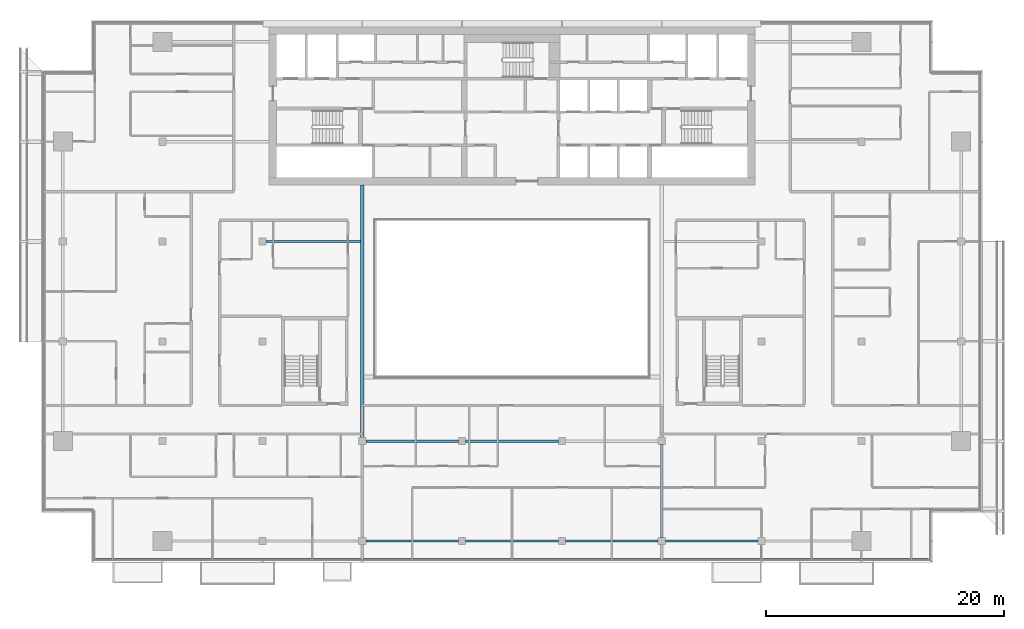
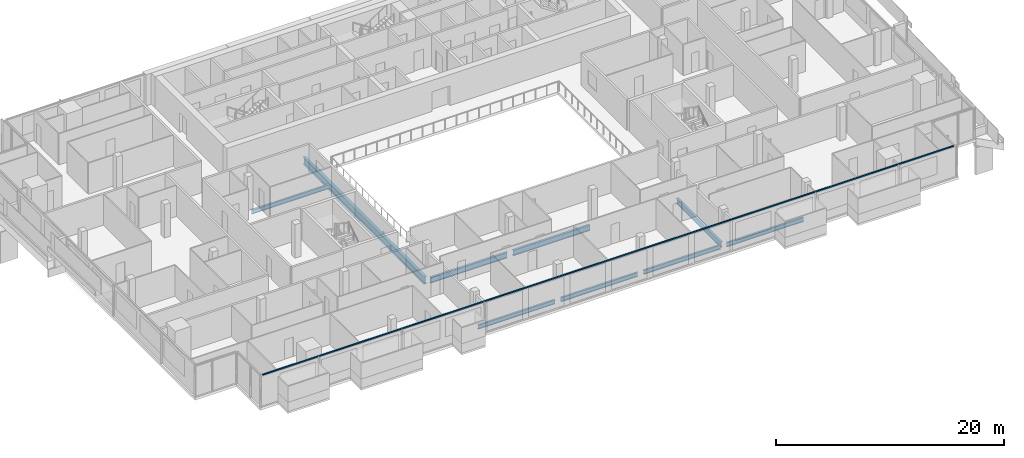
# One storey, part 5 of 29: 9 beams, 1 member, 1 element without a shape of its own.
"""IFC4 building model written with IfcOpenShell, lengths in metres."""

from ifc_helpers import new_model, si_unit, direction, frame, origin, origin_2d, place, context, subcontext, project, spatial, rectangle, i_section, extrude, material, material_profile, profile_set, type_object, element, aggregate, save


model = new_model("IFC4")

# Units and contexts
model_context = context("Model", 3, precision=1e-05, world=origin(), true_north=direction((0.0, 1.0)))
body_context = subcontext(model_context, "Body", "Model", "MODEL_VIEW")
ifc_project = project(units=[si_unit("LENGTHUNIT", "METRE"), si_unit("AREAUNIT", "SQUARE_METRE"), si_unit("VOLUMEUNIT", "CUBIC_METRE"), si_unit("PLANEANGLEUNIT", "RADIAN"), si_unit("MASSUNIT", "GRAM", prefix="KILO")], contexts=[model_context])

# Site, building, storey
site_placement = place(None, origin())
site = spatial("IfcSite", under=ifc_project, at=site_placement, CompositionType="ELEMENT")
building_placement = place(site_placement, origin())
building = spatial("IfcBuilding", under=site, at=building_placement, Name="Saffron Gate Tower", CompositionType="ELEMENT")
storey_placement = place(building_placement, frame((0.0, 0.0, 219.89990234375)))
storey = spatial("IfcBuildingStorey", under=building, at=storey_placement, Name="L53", CompositionType="ELEMENT", Elevation=219.89990234375)

# Beams
ifc_material_1 = material(Name="Structural steel S355", Category="steel")
ifc_material_profile_1 = material_profile(ifc_material_1, i_section(OverallWidth=0.219970703125, OverallDepth=0.60009765625, WebThickness=0.011962890625, FlangeThickness=0.01904296875, FilletRadius=0.02392578125, at=origin_2d()))
ifc_profile_set_1 = profile_set([ifc_material_profile_1], Name="Structural steel S355")
beam_type_1 = type_object("IfcBeamType", Name="B15 IPE 600", PredefinedType="BEAM", material=ifc_profile_set_1)
beam_1_placement = place(storey_placement, frame((100.199951171875, 32.10009765625, -0.579833984375), z_axis=(0.0, 1.0, 0.0), x_axis=(-1.0, 0.0, 0.0)))
element("IfcBeam", 1, at=beam_1_placement, inside=storey, type_object=beam_type_1, Name="B15 FLOOR GIRDER", PredefinedType="BEAM", context=body_context, shape_type="SweptSolid", body=[
    extrude(i_section(OverallWidth=0.219970703125, OverallDepth=0.60009765625, WebThickness=0.011962890625, FlangeThickness=0.01904296875, FilletRadius=0.02392578125, at=origin_2d()), origin(), (0.0, 0.0, 1.0), 7.7998046875),
])
for number, where, z_axis, x_axis, name in (
    (2, (75.300048828125, 40.199951171875, -0.579833984375), (1.0, 0.0, 0.0), (0.0, 1.0, 0.0), "B15 FLOOR GIRDER"),
    (3, (83.699951171875, 40.199951171875, -0.579833984375), (1.0, 0.0, 0.0), (0.0, 1.0, 0.0), "B15 FLOOR GIRDER"),
):
    element("IfcBeam", number, at=place(storey_placement, frame(where, z_axis=z_axis, x_axis=x_axis)), inside=storey, type_object=beam_type_1, Name=name, PredefinedType="BEAM", context=body_context, shape_type="SweptSolid", body=[
        extrude(i_section(OverallWidth=0.219970703125, OverallDepth=0.60009765625, WebThickness=0.011962890625, FlangeThickness=0.01904296875, FilletRadius=0.02392578125, at=origin_2d()), origin(), (0.0, 0.0, 1.0), 7.800048828125),
    ])
ifc_material_profile_2 = material_profile(ifc_material_1, i_section(OverallWidth=0.300048828125, OverallDepth=0.7900390625, WebThickness=0.014892578125, FlangeThickness=0.028076171875, FilletRadius=0.030029296875, at=origin_2d()))
ifc_profile_set_2 = profile_set([ifc_material_profile_2], Name="Structural steel S355")
beam_type_2 = type_object("IfcBeamType", Name="B18 HEA 800", PredefinedType="BEAM", material=ifc_profile_set_2)
beam_2_placement = place(storey_placement, frame((75.0, 40.5, -0.6748046875), z_axis=(0.0, 1.0, 0.0), x_axis=(-1.0, 0.0, 0.0)))
element("IfcBeam", 4, at=beam_2_placement, inside=storey, type_object=beam_type_2, Name="B18 ATRIUM GIRDER", PredefinedType="BEAM", context=body_context, shape_type="SweptSolid", body=[
    extrude(i_section(OverallWidth=0.300048828125, OverallDepth=0.7900390625, WebThickness=0.014892578125, FlangeThickness=0.028076171875, FilletRadius=0.030029296875, at=origin_2d()), origin(), (0.0, 0.0, 1.0), 21.25),
])
ifc_material_profile_3 = material_profile(ifc_material_1, i_section(OverallWidth=0.18994140625, OverallDepth=0.449951171875, WebThickness=0.009521484375, FlangeThickness=0.0146484375, FilletRadius=0.02099609375, at=origin_2d()))
ifc_profile_set_3 = profile_set([ifc_material_profile_3], Name="Structural steel S355")
beam_type_3 = type_object("IfcBeamType", Name="B6 IPE 450", PredefinedType="BEAM", material=ifc_profile_set_3)
beam_3_placement = place(storey_placement, frame((66.89990234375, 57.0, -0.5048828125), z_axis=(1.0, 0.0, 0.0), x_axis=(0.0, 1.0, 0.0)))
element("IfcBeam", 5, at=beam_3_placement, inside=storey, type_object=beam_type_3, Name="B6 CORE TIE BEAM", PredefinedType="BEAM", context=body_context, shape_type="SweptSolid", body=[
    extrude(i_section(OverallWidth=0.18994140625, OverallDepth=0.449951171875, WebThickness=0.009521484375, FlangeThickness=0.0146484375, FilletRadius=0.02099609375, at=origin_2d()), origin(), (0.0, 0.0, 1.0), 7.9501953125),
])
ifc_material_profile_4 = material_profile(ifc_material_1, i_section(OverallWidth=0.18994140625, OverallDepth=0.449951171875, WebThickness=0.009521484375, FlangeThickness=0.0146484375, FilletRadius=0.02099609375, at=origin_2d()))
ifc_profile_set_4 = profile_set([ifc_material_profile_4], Name="Structural steel S355")
beam_type_4 = type_object("IfcBeamType", Name="B7 IPE 450", PredefinedType="SPANDREL", material=ifc_profile_set_4)
for number, where, z_axis, x_axis, name in (
    (6, (75.300048828125, 31.800048828125, -0.5048828125), (1.0, 0.0, 0.0), (0.0, 1.0, 0.0), "B7 SPANDREL BEAM"),
    (7, (83.699951171875, 31.800048828125, -0.5048828125), (1.0, 0.0, 0.0), (0.0, 1.0, 0.0), "B7 SPANDREL BEAM"),
):
    element("IfcBeam", number, at=place(storey_placement, frame(where, z_axis=z_axis, x_axis=x_axis)), inside=storey, type_object=beam_type_4, Name=name, PredefinedType="SPANDREL", context=body_context, shape_type="SweptSolid", body=[
        extrude(i_section(OverallWidth=0.18994140625, OverallDepth=0.449951171875, WebThickness=0.009521484375, FlangeThickness=0.0146484375, FilletRadius=0.02099609375, at=origin_2d()), origin(), (0.0, 0.0, 1.0), 7.800048828125),
    ])
beam_4_placement = place(storey_placement, frame((92.10009765625, 31.800048828125, -0.5048828125), z_axis=(1.0, 0.0, 0.0), x_axis=(0.0, 1.0, 0.0)))
element("IfcBeam", 8, at=beam_4_placement, inside=storey, type_object=beam_type_4, Name="B7 SPANDREL BEAM", PredefinedType="SPANDREL", context=body_context, shape_type="SweptSolid", body=[
    extrude(i_section(OverallWidth=0.18994140625, OverallDepth=0.449951171875, WebThickness=0.009521484375, FlangeThickness=0.0146484375, FilletRadius=0.02099609375, at=origin_2d()), origin(), (0.0, 0.0, 1.0), 7.7998046875),
])
beam_5_placement = place(storey_placement, frame((100.5, 31.800048828125, -0.5048828125), z_axis=(1.0, 0.0, 0.0), x_axis=(0.0, 1.0, 0.0)))
element("IfcBeam", 9, at=beam_5_placement, inside=storey, type_object=beam_type_4, Name="B7 SPANDREL BEAM", PredefinedType="SPANDREL", context=body_context, shape_type="SweptSolid", body=[
    extrude(i_section(OverallWidth=0.18994140625, OverallDepth=0.449951171875, WebThickness=0.009521484375, FlangeThickness=0.0146484375, FilletRadius=0.02099609375, at=origin_2d()), origin(), (0.0, 0.0, 1.0), 7.800048828125),
])

# Curtain wall, member
ifc_material_2 = material(Name="Aluminium, bronze anodised", Category="aluminium")
curtain_wall_type = type_object("IfcCurtainWallType", Name="CWS1 curtain wall front facade", PredefinedType="NOTDEFINED", material=ifc_material_2)
curtain_wall_placement = place(storey_placement, origin())
curtain_wall = element("IfcCurtainWall", 10, at=curtain_wall_placement, inside=storey, type_object=curtain_wall_type, Name="CWS1 run 1", PredefinedType="NOTDEFINED")
ifc_material_profile_5 = material_profile(ifc_material_2, rectangle(XDim=0.1201171875, YDim=0.1201171875, at=origin_2d()))
ifc_profile_set_5 = profile_set([ifc_material_profile_5], Name="Aluminium, bronze anodised")
member_type = type_object("IfcMemberType", Name="CWS1 head transom", PredefinedType="USERDEFINED", material=ifc_profile_set_5)
member_placement = place(storey_placement, frame((52.568115234375, 30.248046875, 3.260009765625), z_axis=(1.0, 0.0, 0.0), x_axis=(0.0, 1.0, 0.0)))
member = element("IfcMember", 11, at=member_placement, type_object=member_type, Name="CWS1 head transom", ObjectType="TRANSOM", PredefinedType="USERDEFINED", context=body_context, shape_type="SweptSolid", body=[
    extrude(rectangle(XDim=0.1201171875, YDim=0.1201171875, at=origin_2d()), origin(), (0.0, 0.0, 1.0), 70.06396484375),
])
aggregate(curtain_wall, [member])

save(model, "model.ifc")
